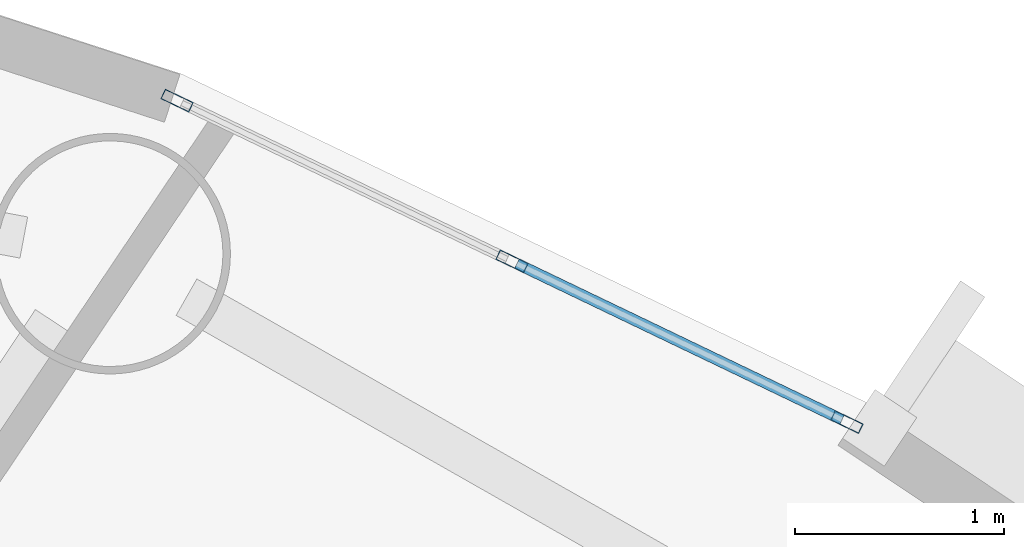
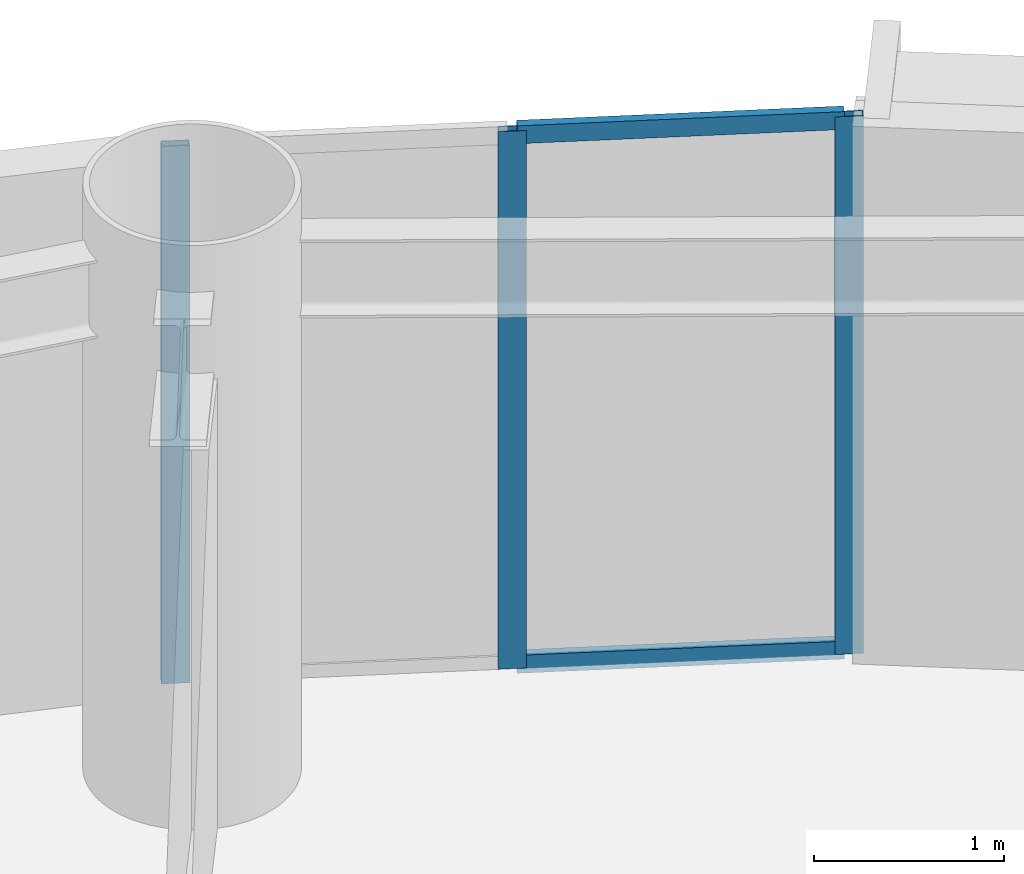
# One storey, part 5 of 18: 5 members, 1 element without a shape of its own.
"""IFC4 building model written with IfcOpenShell, lengths in metres."""

from ifc_helpers import new_model, si_unit, direction, frame, origin, origin_2d, place, context, subcontext, project, spatial, hollow_rectangle, extrude, source, transform, mapped, material, layer, layer_set, material_profile, profile_set, type_object, element, aggregate, save


model = new_model("IFC4")

# Units and contexts
model_context = context("Model", 3, precision=1e-05, world=origin(), true_north=direction((0.0, 1.0)))
body_context = subcontext(model_context, "Body", "Model", "MODEL_VIEW")
ifc_project = project(units=[si_unit("LENGTHUNIT", "METRE"), si_unit("AREAUNIT", "SQUARE_METRE"), si_unit("VOLUMEUNIT", "CUBIC_METRE"), si_unit("PLANEANGLEUNIT", "RADIAN"), si_unit("MASSUNIT", "GRAM", prefix="KILO")], contexts=[model_context])

# Site, building, storey
site_placement = place(None, origin())
site = spatial("IfcSite", under=ifc_project, at=site_placement, CompositionType="ELEMENT")
building_placement = place(site_placement, origin())
building = spatial("IfcBuilding", under=site, at=building_placement, Name="Linh Dai School and Residence Tower", CompositionType="ELEMENT")
storey_placement = place(building_placement, frame((0.0, 0.0, 259.050048828125)))
storey = spatial("IfcBuildingStorey", under=building, at=storey_placement, Name="L64", CompositionType="ELEMENT", Elevation=259.050048828125)

# Curtain wall, members
ifc_material_1 = material(Name="Aluminium Anodised Curtain Wall", Category="aluminium")
ifc_layer = layer(ifc_material_1, 0.14990234375)
ifc_layer_set = layer_set([ifc_layer], Name="Aluminium Anodised Curtain Wall")
curtain_wall_type = type_object("IfcCurtainWallType", Name="CW-SYS-4", PredefinedType="USERDEFINED", material=ifc_layer_set)
curtain_wall_placement = place(storey_placement, origin())
curtain_wall = element("IfcCurtainWall", 1, at=curtain_wall_placement, inside=storey, type_object=curtain_wall_type, Name="L64 CW4 Curtain Wall 07", ObjectType="RIBBON CURTAIN WALL", PredefinedType="USERDEFINED")
ifc_material_2 = material(Name="Aluminium Alloy 6063-T6", Category="aluminium")
ifc_material_profile_1 = material_profile(ifc_material_2, hollow_rectangle(XDim=0.052001953125, YDim=0.14990234375, WallThickness=0.00390625, at=origin_2d()), Name="RHS 150x52x4")
ifc_profile_set_1 = profile_set([ifc_material_profile_1], Name="Aluminium Alloy 6063-T6")
member_type_1 = type_object("IfcMemberType", Name="CW-SYS-4-MUL", PredefinedType="MULLION", material=ifc_profile_set_1)
shared_shape_1 = source(origin(), body_context, "Body", "SweptSolid", [
    extrude(hollow_rectangle(XDim=0.052001953125, YDim=0.14990234375, WallThickness=0.00390625, at=origin_2d()), origin(), (0.0, 0.0, 1.0), 3.449951171875),
])
member_1_placement = place(storey_placement, frame((47.054443359375, 43.895263671875, 0.0), z_axis=(0.0, 0.0, 1.0), x_axis=(0.432593941973, 0.901588864931, 0.0)))
member_1 = element("IfcMember", 2, at=member_1_placement, type_object=member_type_1, Name="CW4 mullion 1", PredefinedType="MULLION", context=body_context, shape_type="MappedRepresentation", body=[
    mapped(shared_shape_1, transform((0.0, 0.0, 0.0), x_axis=(1.0, 0.0, 0.0), y_axis=(0.0, 1.0, 0.0), z_axis=(0.0, 0.0, 1.0), scale=1.0)),
])
member_2_placement = place(storey_placement, frame((48.655517578125, 43.127197265625, 0.0), z_axis=(0.0, 0.0, 1.0), x_axis=(0.432593941973, 0.901588864931, 0.0)))
member_2 = element("IfcMember", 3, at=member_2_placement, type_object=member_type_1, Name="CW4 mullion 2", PredefinedType="MULLION", context=body_context, shape_type="MappedRepresentation", body=[
    mapped(shared_shape_1, transform((0.0, 0.0, 0.0), x_axis=(1.0, 0.0, 0.0), y_axis=(0.0, 1.0, 0.0), z_axis=(0.0, 0.0, 1.0), scale=1.0)),
])
member_3_placement = place(storey_placement, frame((50.256591796875, 42.35888671875, 0.0), z_axis=(0.0, 0.0, 1.0), x_axis=(0.432593941973, 0.901588864931, 0.0)))
member_3 = element("IfcMember", 4, at=member_3_placement, type_object=member_type_1, Name="CW4 mullion 3", PredefinedType="MULLION", context=body_context, shape_type="MappedRepresentation", body=[
    mapped(shared_shape_1, transform((0.0, 0.0, 0.0), x_axis=(1.0, 0.0, 0.0), y_axis=(0.0, 1.0, 0.0), z_axis=(0.0, 0.0, 1.0), scale=1.0)),
])
ifc_material_profile_2 = material_profile(ifc_material_2, hollow_rectangle(XDim=0.052001953125, YDim=0.114990234375, WallThickness=0.00390625, at=origin_2d()), Name="RHS 115x52x4")
ifc_profile_set_2 = profile_set([ifc_material_profile_2], Name="Aluminium Alloy 6063-T6")
member_type_2 = type_object("IfcMemberType", Name="CW-SYS-4-TRN", PredefinedType="USERDEFINED", material=ifc_profile_set_2)
shared_shape_2 = source(origin(), body_context, "Body", "SweptSolid", [
    extrude(hollow_rectangle(XDim=0.052001953125, YDim=0.114990234375, WallThickness=0.00390625, at=origin_2d()), origin(), (0.0, 0.0, 1.0), 1.723876953125),
])
member_4_placement = place(storey_placement, frame((48.678955078125, 43.115966796875, 0.02587890625), z_axis=(0.901560623286, -0.432652796755, 0.0), x_axis=(0.432652796755, 0.901560623286, 0.0)))
member_4 = element("IfcMember", 5, at=member_4_placement, type_object=member_type_2, Name="CW4 transom 2.1", ObjectType="TRANSOM", PredefinedType="USERDEFINED", context=body_context, shape_type="MappedRepresentation", body=[
    mapped(shared_shape_2, transform((0.0, 0.0, 0.0), x_axis=(1.0, 0.0, 0.0), y_axis=(0.0, 1.0, 0.0), z_axis=(0.0, 0.0, 1.0), scale=1.0)),
])
member_5_placement = place(storey_placement, frame((48.678955078125, 43.115966796875, 3.424072265625), z_axis=(0.901560623286, -0.432652796755, 0.0), x_axis=(0.432652796755, 0.901560623286, 0.0)))
member_5 = element("IfcMember", 6, at=member_5_placement, type_object=member_type_2, Name="CW4 transom 2.2", ObjectType="TRANSOM", PredefinedType="USERDEFINED", context=body_context, shape_type="MappedRepresentation", body=[
    mapped(shared_shape_2, transform((0.0, 0.0, 0.0), x_axis=(1.0, 0.0, 0.0), y_axis=(0.0, 1.0, 0.0), z_axis=(0.0, 0.0, 1.0), scale=1.0)),
])
aggregate(curtain_wall, [member_1, member_2, member_3, member_4, member_5])

save(model, "model.ifc")
